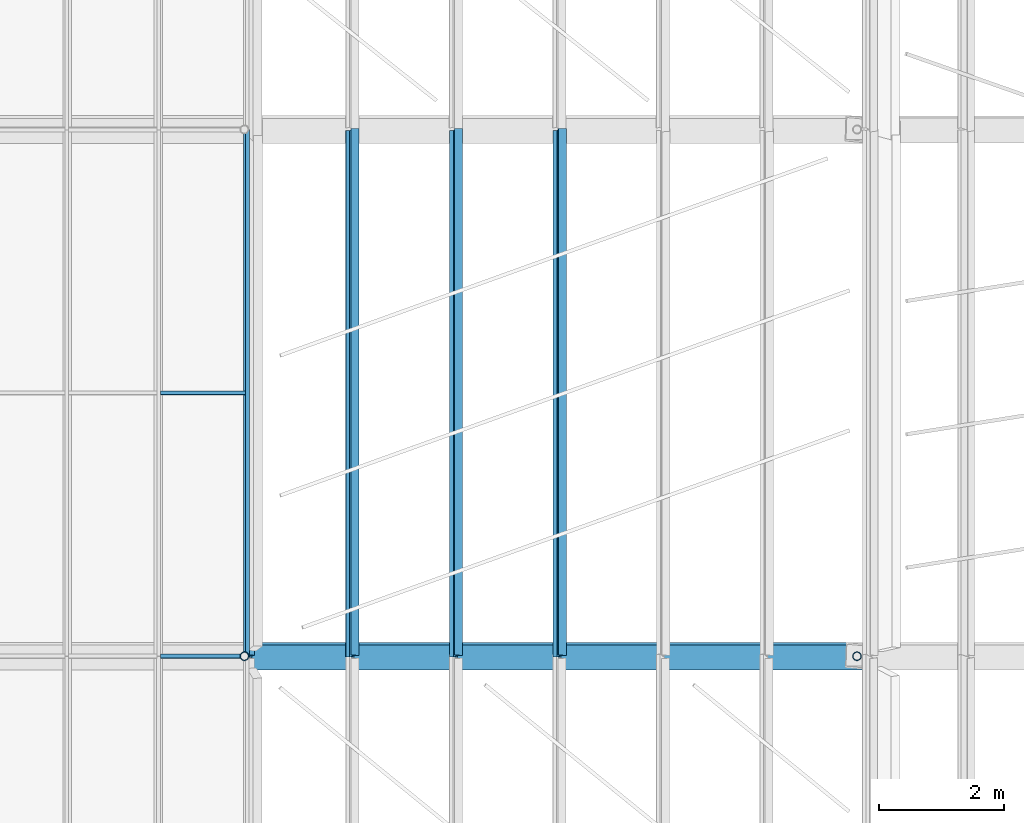
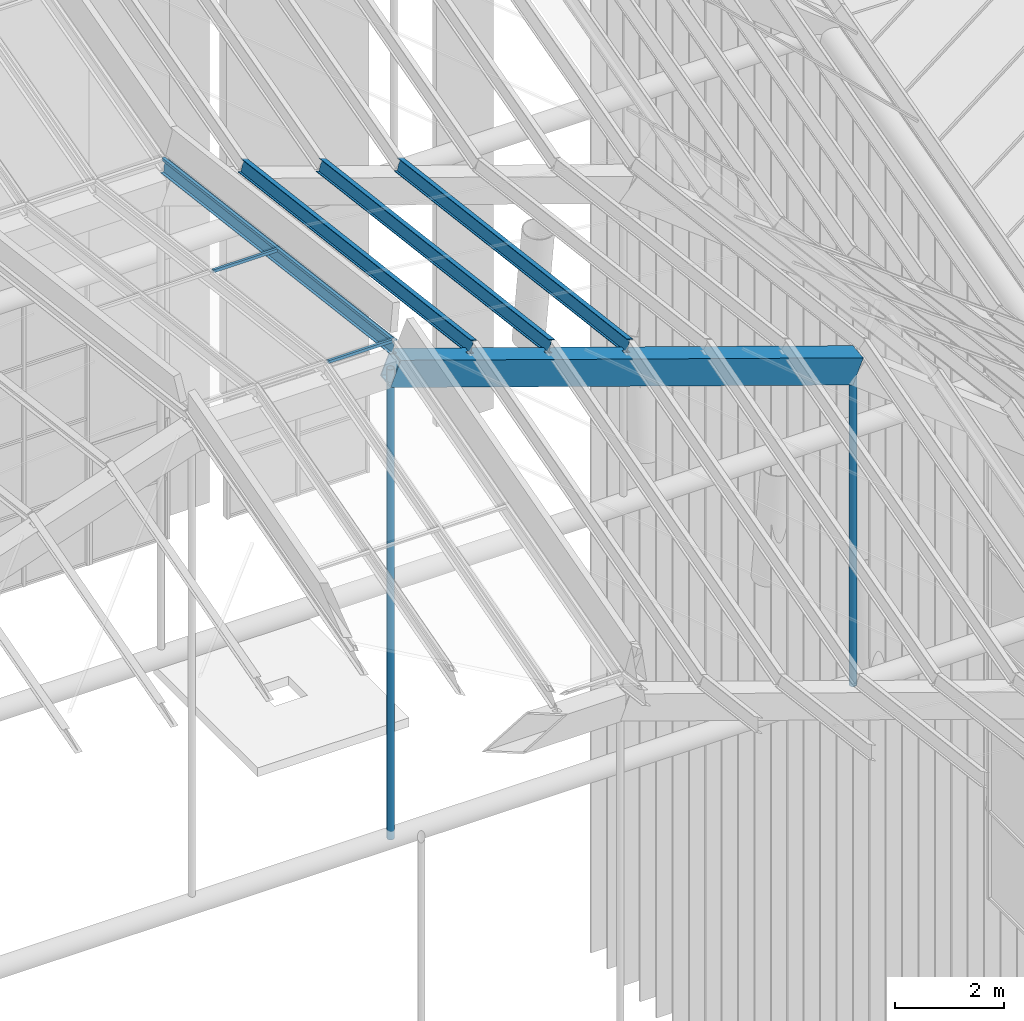
# One storey, part 45 of 126: 9 members, 1 beam.
"""IFC4 building model written with IfcOpenShell, lengths in metres."""

from ifc_helpers import new_model, si_unit, direction, frame, origin, origin_2d, place, context, subcontext, project, spatial, polyline, rectangle, hollow_circle, i_section, outline, extrude, material, material_profile, profile_set, type_object, element, save


model = new_model("IFC4")

# Units and contexts
model_context = context("Model", 3, precision=1e-05, world=origin(), true_north=direction((0.0, 1.0)))
body_context = subcontext(model_context, "Body", "Model", "MODEL_VIEW")
ifc_project = project(units=[si_unit("LENGTHUNIT", "METRE"), si_unit("AREAUNIT", "SQUARE_METRE"), si_unit("VOLUMEUNIT", "CUBIC_METRE"), si_unit("PLANEANGLEUNIT", "RADIAN"), si_unit("MASSUNIT", "GRAM", prefix="KILO")], contexts=[model_context])

# Site, building, storey
site_placement = place(None, origin())
site = spatial("IfcSite", under=ifc_project, at=site_placement, CompositionType="ELEMENT")
building_placement = place(site_placement, origin())
building = spatial("IfcBuilding", under=site, at=building_placement, Name="Sava Quay Ferry Terminal", CompositionType="ELEMENT")
storey_placement = place(building_placement, frame((0.0, 0.0, 15.0)))
storey = spatial("IfcBuildingStorey", under=building, at=storey_placement, Name="L03", CompositionType="ELEMENT", Elevation=15.0)

# Beam
ifc_material_1 = material(Name="Steel S355", Category="steel")
ifc_material_profile_1 = material_profile(ifc_material_1, outline(polyline([(-0.199951171875, -0.300048828125), (0.199951171875, -0.300048828125), (0.199951171875, 0.300048828125), (-0.199951171875, 0.300048828125), (-0.199951171875, -0.300048828125)]), holes=[polyline([(-0.175048828125, -0.27490234375), (-0.175048828125, 0.27490234375), (0.175048828125, 0.27490234375), (0.175048828125, -0.27490234375), (-0.175048828125, -0.27490234375)])]), Name="Box 600x400x25 built-up")
ifc_profile_set_1 = profile_set([ifc_material_profile_1], Name="Steel S355")
beam_type = type_object("IfcBeamType", Name="D folded rib Box 600x400x25", PredefinedType="BEAM", material=ifc_profile_set_1)
beam_placement = place(storey_placement, frame((65.10009765625, 75.60009765625, 22.568115234375), z_axis=(0.945520775213, 0.0, -0.325561766247), x_axis=(0.023189258358, 0.997460028585, 0.067347974525)))
element("IfcBeam", 1, at=beam_placement, inside=storey, type_object=beam_type, Name="Departure hall folded rib R3 seg 4", PredefinedType="BEAM", context=body_context, shape_type="SweptSolid", body=[
    extrude(outline(polyline([(-0.199951171875, -0.300048828125), (0.199951171875, -0.300048828125), (0.199951171875, 0.300048828125), (-0.199951171875, 0.300048828125), (-0.199951171875, -0.300048828125)]), holes=[polyline([(-0.175048828125, -0.27490234375), (-0.175048828125, 0.27490234375), (0.175048828125, 0.27490234375), (0.175048828125, -0.27490234375), (-0.175048828125, -0.27490234375)])]), origin(), (0.0, 0.0, 1.0), 10.3330078125),
])

# Members
ifc_material_2 = material(Name="Aluminium EN AW-6063 T6", Category="aluminium")
ifc_material_profile_2 = material_profile(ifc_material_2, rectangle(XDim=0.06005859375, YDim=0.06005859375, at=origin_2d()), Name="Bar 60 x 60")
ifc_profile_set_2 = profile_set([ifc_material_profile_2], Name="Aluminium EN AW-6063 T6")
member_type_1 = type_object("IfcMemberType", Name="Glazing bar 60x60", PredefinedType="USERDEFINED", material=ifc_profile_set_2)
member_1_placement = place(storey_placement, frame((65.149658203125, 75.60009765625, 23.1728515625), z_axis=(0.0, 0.992393702798, -0.123104584187), x_axis=(-1.0, 0.0, 0.0)))
element("IfcMember", 2, at=member_1_placement, inside=storey, type_object=member_type_1, Name="Departure hall glazing bar D-B3-GL2.3", ObjectType="GLAZING BAR", PredefinedType="USERDEFINED", context=body_context, shape_type="SweptSolid", body=[
    extrude(rectangle(XDim=0.06005859375, YDim=0.06005859375, at=origin_2d()), origin(), (0.0, 0.0, 1.0), 8.46435546875),
])
member_2_placement = place(storey_placement, frame((63.763427734375, 75.60009765625, 23.170166015625), z_axis=(1.0, 0.0, 0.0), x_axis=(0.0, 0.992393764882, -0.123104083697)))
element("IfcMember", 3, at=member_2_placement, inside=storey, type_object=member_type_1, Name="Departure hall glazing bar D-R3-GT2.2", ObjectType="GLAZING BAR", PredefinedType="USERDEFINED", context=body_context, shape_type="SweptSolid", body=[
    extrude(rectangle(XDim=0.06005859375, YDim=0.06005859375, at=origin_2d()), origin(), (0.0, 0.0, 1.0), 1.356689453125),
])
member_3_placement = place(storey_placement, frame((63.76318359375, 79.800048828125, 22.65185546875), z_axis=(1.0, 0.0, 0.0), x_axis=(0.0, 0.992393764882, -0.123104083697)))
element("IfcMember", 4, at=member_3_placement, inside=storey, type_object=member_type_1, Name="Departure hall glazing bar D-B3M-GT2.2", ObjectType="GLAZING BAR", PredefinedType="USERDEFINED", context=body_context, shape_type="SweptSolid", body=[
    extrude(rectangle(XDim=0.06005859375, YDim=0.06005859375, at=origin_2d()), origin(), (0.0, 0.0, 1.0), 1.3564453125),
])
ifc_material_3 = material(Name="Steel S355", Category="steel")
ifc_material_profile_3 = material_profile(ifc_material_3, i_section(OverallWidth=0.135009765625, OverallDepth=0.27001953125, WebThickness=0.006591796875, FlangeThickness=0.01025390625, at=origin_2d()), Name="IPE 270")
ifc_profile_set_3 = profile_set([ifc_material_profile_3], Name="Steel S355")
member_type_2 = type_object("IfcMemberType", Name="Roof purlin IPE 270", PredefinedType="PURLIN", material=ifc_profile_set_3)
for number, where, z_axis, x_axis, name in (
    (5, (65.17236328125, 75.60009765625, 23.006591796875), (0.0, 0.992393702798, -0.123104584187), (-0.986478304019, 0.020175844507, 0.162645291964), "Departure hall purlin bay 4 V3"),
    (6, (66.823486328125, 75.60009765625, 22.43798828125), (0.0, 0.992393702798, -0.123104584187), (-0.946278888601, 0.039806065742, 0.320892103546), "Departure hall purlin bay 4 M3.1"),
    (7, (68.474609375, 75.60009765625, 21.869384765625), (0.0, 0.992393702798, -0.123104584187), (-0.946278888601, 0.039806065742, 0.320892103546), "Departure hall purlin bay 4 M3.2"),
    (8, (70.125732421875, 75.60009765625, 21.301025390625), (0.0, 0.992393702798, -0.123104584187), (-0.946278888601, 0.039806065742, 0.320892103546), "Departure hall purlin bay 4 M3.3"),
):
    element("IfcMember", number, at=place(storey_placement, frame(where, z_axis=z_axis, x_axis=x_axis)), inside=storey, type_object=member_type_2, Name=name, PredefinedType="PURLIN", context=body_context, shape_type="SweptSolid", body=[
        extrude(i_section(OverallWidth=0.135009765625, OverallDepth=0.27001953125, WebThickness=0.006591796875, FlangeThickness=0.01025390625, at=origin_2d()), origin(), (0.0, 0.0, 1.0), 8.46435546875),
    ])
ifc_material_4 = material(Name="Steel S355", Category="steel")
ifc_material_profile_4 = material_profile(ifc_material_4, hollow_circle(Radius=0.06982421875, WallThickness=0.008056640625, at=origin_2d()), Name="CHS 139.7 x 8.0")
ifc_profile_set_4 = profile_set([ifc_material_profile_4], Name="Steel S355")
member_type_3 = type_object("IfcMemberType", Name="Tie hanger CHS 139.7x8", PredefinedType="USERDEFINED", material=ifc_profile_set_4)
member_4_placement = place(storey_placement, frame((65.10009765625, 75.60009765625, 12.071044921875), z_axis=(0.0, 0.0, 1.0), x_axis=(1.0, 0.0, 0.0)))
element("IfcMember", 9, at=member_4_placement, inside=storey, type_object=member_type_3, Name="Departure hall tie hanger R3 V3", ObjectType="TIE HANGER", PredefinedType="USERDEFINED", context=body_context, shape_type="SweptSolid", body=[
    extrude(hollow_circle(Radius=0.06982421875, WallThickness=0.008056640625, at=origin_2d()), origin(), (0.0, 0.0, 1.0), 10.4970703125),
])
member_5_placement = place(storey_placement, frame((74.8701171875, 75.60009765625, 12.071044921875), z_axis=(0.0, 0.0, 1.0), x_axis=(1.0, 0.0, 0.0)))
element("IfcMember", 10, at=member_5_placement, inside=storey, type_object=member_type_3, Name="Departure hall tie hanger R3 V4", ObjectType="TIE HANGER", PredefinedType="USERDEFINED", context=body_context, shape_type="SweptSolid", body=[
    extrude(hollow_circle(Radius=0.06982421875, WallThickness=0.008056640625, at=origin_2d()), origin(), (0.0, 0.0, 1.0), 7.133056640625),
])

save(model, "model.ifc")
